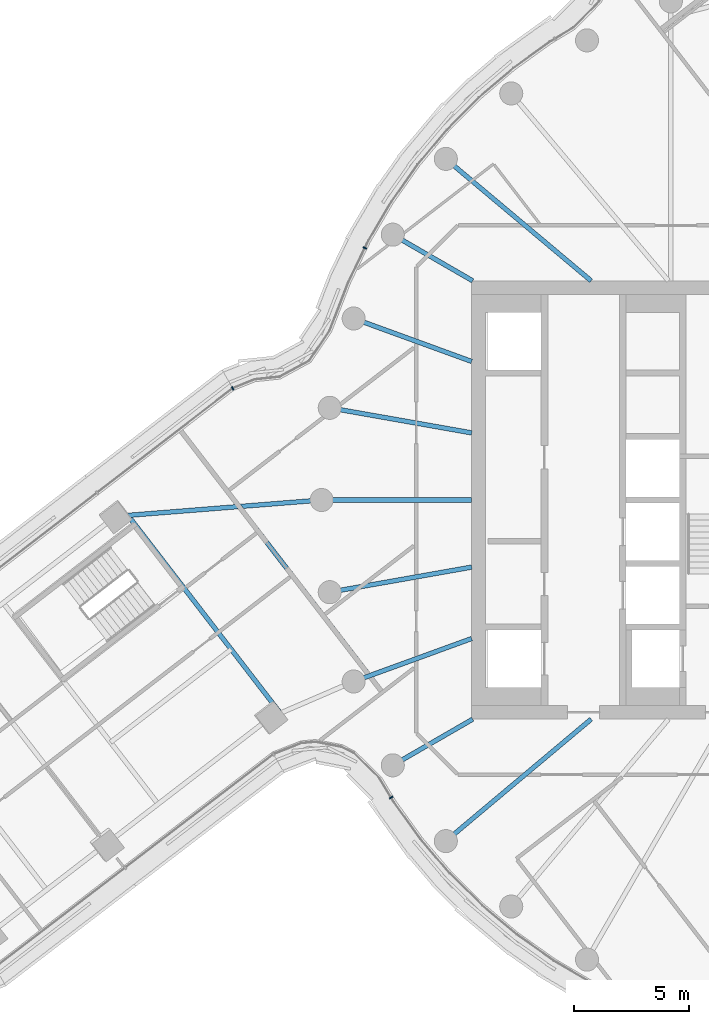
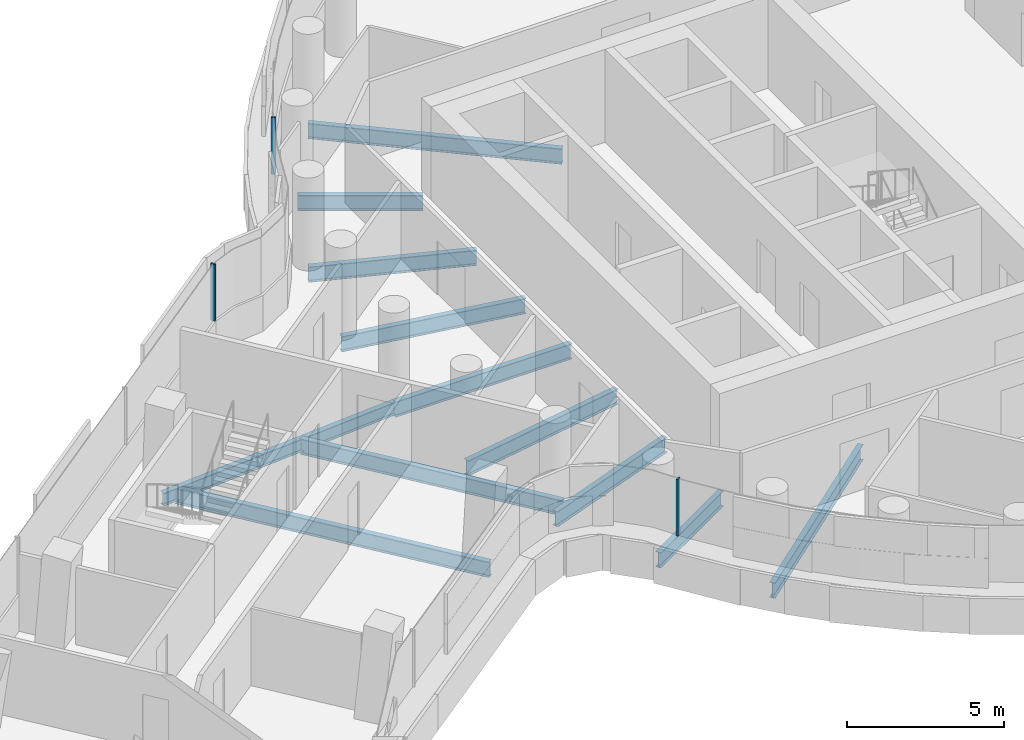
# One storey, part 9 of 33: 12 beams, 3 members, 3 elements without a shape of their own.
"""IFC4 building model written with IfcOpenShell, lengths in metres."""

from ifc_helpers import new_model, si_unit, direction, frame, origin, origin_2d, place, context, subcontext, project, spatial, rectangle, i_section, extrude, material, layer, layer_set, material_profile, profile_set, type_object, element, aggregate, save


model = new_model("IFC4")

# Units and contexts
model_context = context("Model", 3, precision=1e-05, world=origin(), true_north=direction((0.0, 1.0)))
body_context = subcontext(model_context, "Body", "Model", "MODEL_VIEW")
ifc_project = project(units=[si_unit("LENGTHUNIT", "METRE"), si_unit("AREAUNIT", "SQUARE_METRE"), si_unit("VOLUMEUNIT", "CUBIC_METRE"), si_unit("PLANEANGLEUNIT", "RADIAN"), si_unit("MASSUNIT", "GRAM", prefix="KILO")], contexts=[model_context])

# Site, building, storey
site_placement = place(None, origin())
site = spatial("IfcSite", under=ifc_project, at=site_placement, CompositionType="ELEMENT")
building_placement = place(site_placement, origin())
building = spatial("IfcBuilding", under=site, at=building_placement, Name="Tamarind Cross Interchange Tower", CompositionType="ELEMENT")
storey_placement = place(building_placement, frame((0.0, 0.0, 170.5)))
storey = spatial("IfcBuildingStorey", under=building, at=storey_placement, Name="L42", CompositionType="ELEMENT", Elevation=170.5)

# Beams
ifc_material_1 = material(Name="Steel Q355B", Category="steel")
ifc_material_profile_1 = material_profile(ifc_material_1, i_section(OverallWidth=0.198974609375, OverallDepth=0.49609375, WebThickness=0.009033203125, FlangeThickness=0.013916015625, FilletRadius=0.012939453125, at=origin_2d()), Name="HN 496x199x9x14")
ifc_profile_set_1 = profile_set([ifc_material_profile_1], Name="Steel Q355B")
beam_type_1 = type_object("IfcBeamType", Name="Composite beam HN 496x199x9x14 Q355B", PredefinedType="BEAM", material=ifc_profile_set_1)
beam_1_placement = place(storey_placement, frame((-31.931640625, -0.708740234375, -0.387939453125), z_axis=(0.996866449961, 0.079102976827, 0.0), x_axis=(-0.079102976827, 0.996866449961, 0.0)))
element("IfcBeam", 1, at=beam_1_placement, inside=storey, type_object=beam_type_1, Name="Beam W-linkem", PredefinedType="BEAM", context=body_context, shape_type="SweptSolid", body=[
    extrude(i_section(OverallWidth=0.198974609375, OverallDepth=0.49609375, WebThickness=0.009033203125, FlangeThickness=0.013916015625, FilletRadius=0.012939453125, at=origin_2d()), origin(), (0.0, 0.0, 1.0), 8.959716796875),
])
ifc_material_profile_2 = material_profile(ifc_material_1, i_section(OverallWidth=0.198974609375, OverallDepth=0.595947265625, WebThickness=0.010009765625, FlangeThickness=0.014892578125, FilletRadius=0.012939453125, at=origin_2d()), Name="HN 596x199x10x15")
ifc_profile_set_2 = profile_set([ifc_material_profile_2], Name="Steel Q355B")
beam_type_2 = type_object("IfcBeamType", Name="Composite beam HN 596x199x10x15 Q355B", PredefinedType="BEAM", material=ifc_profile_set_2)
beam_2_placement = place(storey_placement, frame((-17.619140625, 14.7841796875, -0.43798828125), z_axis=(0.766040580814, -0.642792212574, 0.0), x_axis=(0.642792212574, 0.766040580814, 0.0)))
element("IfcBeam", 2, at=beam_2_placement, inside=storey, type_object=beam_type_2, Name="Beam HH14", PredefinedType="BEAM", context=body_context, shape_type="SweptSolid", body=[
    extrude(i_section(OverallWidth=0.198974609375, OverallDepth=0.595947265625, WebThickness=0.010009765625, FlangeThickness=0.014892578125, FilletRadius=0.012939453125, at=origin_2d()), origin(), (0.0, 0.0, 1.0), 8.220703125),
])
beam_3_placement = place(storey_placement, frame((-19.918701171875, 11.5, -0.43798828125), z_axis=(0.866026010844, -0.49999894854, 0.0), x_axis=(0.49999894854, 0.866026010844, 0.0)))
element("IfcBeam", 3, at=beam_3_placement, inside=storey, type_object=beam_type_2, Name="Beam HH15", PredefinedType="BEAM", context=body_context, shape_type="SweptSolid", body=[
    extrude(i_section(OverallWidth=0.198974609375, OverallDepth=0.595947265625, WebThickness=0.010009765625, FlangeThickness=0.014892578125, FilletRadius=0.012939453125, at=origin_2d()), origin(), (0.0, 0.0, 1.0), 4.0),
])
beam_4_placement = place(storey_placement, frame((-21.613037109375, 7.866455078125, -0.43798828125), z_axis=(0.939701685589, -0.341995236956, 0.0), x_axis=(0.341995236956, 0.939701685589, 0.0)))
element("IfcBeam", 4, at=beam_4_placement, inside=storey, type_object=beam_type_2, Name="Beam HH16", PredefinedType="BEAM", context=body_context, shape_type="SweptSolid", body=[
    extrude(i_section(OverallWidth=0.198974609375, OverallDepth=0.595947265625, WebThickness=0.010009765625, FlangeThickness=0.014892578125, FilletRadius=0.012939453125, at=origin_2d()), origin(), (0.0, 0.0, 1.0), 5.441162109375),
])
beam_5_placement = place(storey_placement, frame((-22.650634765625, 3.993896484375, -0.43798828125), z_axis=(0.984809127561, -0.173640382036, 0.0), x_axis=(0.173640382036, 0.984809127561, 0.0)))
element("IfcBeam", 5, at=beam_5_placement, inside=storey, type_object=beam_type_2, Name="Beam HH17", PredefinedType="BEAM", context=body_context, shape_type="SweptSolid", body=[
    extrude(i_section(OverallWidth=0.198974609375, OverallDepth=0.595947265625, WebThickness=0.010009765625, FlangeThickness=0.014892578125, FilletRadius=0.012939453125, at=origin_2d()), origin(), (0.0, 0.0, 1.0), 6.24560546875),
])
beam_6_placement = place(storey_placement, frame((-23.0, 0.0, -0.43798828125), z_axis=(1.0, 0.0, 0.0), x_axis=(0.0, 1.0, 0.0)))
element("IfcBeam", 6, at=beam_6_placement, inside=storey, type_object=beam_type_2, Name="Beam HH18", PredefinedType="BEAM", context=body_context, shape_type="SweptSolid", body=[
    extrude(i_section(OverallWidth=0.198974609375, OverallDepth=0.595947265625, WebThickness=0.010009765625, FlangeThickness=0.014892578125, FilletRadius=0.012939453125, at=origin_2d()), origin(), (0.0, 0.0, 1.0), 6.5),
])
beam_7_placement = place(storey_placement, frame((-22.650634765625, -3.993896484375, -0.43798828125), z_axis=(0.984809127561, 0.173640382036, 0.0), x_axis=(-0.173640382036, 0.984809127561, 0.0)))
element("IfcBeam", 7, at=beam_7_placement, inside=storey, type_object=beam_type_2, Name="Beam HH19", PredefinedType="BEAM", context=body_context, shape_type="SweptSolid", body=[
    extrude(i_section(OverallWidth=0.198974609375, OverallDepth=0.595947265625, WebThickness=0.010009765625, FlangeThickness=0.014892578125, FilletRadius=0.012939453125, at=origin_2d()), origin(), (0.0, 0.0, 1.0), 6.24560546875),
])
beam_8_placement = place(storey_placement, frame((-21.613037109375, -7.866455078125, -0.43798828125), z_axis=(0.939701685589, 0.341995236956, 0.0), x_axis=(-0.341995236956, 0.939701685589, 0.0)))
element("IfcBeam", 8, at=beam_8_placement, inside=storey, type_object=beam_type_2, Name="Beam HH20", PredefinedType="BEAM", context=body_context, shape_type="SweptSolid", body=[
    extrude(i_section(OverallWidth=0.198974609375, OverallDepth=0.595947265625, WebThickness=0.010009765625, FlangeThickness=0.014892578125, FilletRadius=0.012939453125, at=origin_2d()), origin(), (0.0, 0.0, 1.0), 5.441162109375),
])
beam_9_placement = place(storey_placement, frame((-19.918701171875, -11.5, -0.43798828125), z_axis=(0.866026010844, 0.49999894854, 0.0), x_axis=(-0.49999894854, 0.866026010844, 0.0)))
element("IfcBeam", 9, at=beam_9_placement, inside=storey, type_object=beam_type_2, Name="Beam HH21", PredefinedType="BEAM", context=body_context, shape_type="SweptSolid", body=[
    extrude(i_section(OverallWidth=0.198974609375, OverallDepth=0.595947265625, WebThickness=0.010009765625, FlangeThickness=0.014892578125, FilletRadius=0.012939453125, at=origin_2d()), origin(), (0.0, 0.0, 1.0), 4.0),
])
beam_10_placement = place(storey_placement, frame((-17.619140625, -14.7841796875, -0.43798828125), z_axis=(0.766040580814, 0.642792212574, 0.0), x_axis=(-0.642792212574, 0.766040580814, 0.0)))
element("IfcBeam", 10, at=beam_10_placement, inside=storey, type_object=beam_type_2, Name="Beam HH22", PredefinedType="BEAM", context=body_context, shape_type="SweptSolid", body=[
    extrude(i_section(OverallWidth=0.198974609375, OverallDepth=0.595947265625, WebThickness=0.010009765625, FlangeThickness=0.014892578125, FilletRadius=0.012939453125, at=origin_2d()), origin(), (0.0, 0.0, 1.0), 8.220703125),
])
ifc_material_profile_3 = material_profile(ifc_material_1, i_section(OverallWidth=0.199951171875, OverallDepth=0.60009765625, WebThickness=0.010986328125, FlangeThickness=0.01708984375, FilletRadius=0.012939453125, at=origin_2d()), Name="HN 600x200x11x17")
ifc_profile_set_3 = profile_set([ifc_material_profile_3], Name="Steel Q355B")
beam_type_3 = type_object("IfcBeamType", Name="Composite beam HN 600x200x11x17 Q355B", PredefinedType="BEAM", material=ifc_profile_set_3)
beam_11_placement = place(storey_placement, frame((-31.396240234375, -0.666259765625, -0.43994140625), z_axis=(0.610316790724, -0.792157443291, 0.0), x_axis=(0.792157443291, 0.610316790724, 0.0)))
element("IfcBeam", 11, at=beam_11_placement, inside=storey, type_object=beam_type_3, Name="Beam W-x298", PredefinedType="BEAM", context=body_context, shape_type="SweptSolid", body=[
    extrude(i_section(OverallWidth=0.199951171875, OverallDepth=0.60009765625, WebThickness=0.010986328125, FlangeThickness=0.01708984375, FilletRadius=0.012939453125, at=origin_2d()), origin(), (0.0, 0.0, 1.0), 10.821533203125),
])
beam_12_placement = place(storey_placement, frame((-26.578369140625, -0.283935546875, -0.43994140625), z_axis=(0.610332028188, -0.79214570337, 0.0), x_axis=(0.79214570337, 0.610332028188, 0.0)))
element("IfcBeam", 12, at=beam_12_placement, inside=storey, type_object=beam_type_3, Name="Beam W-x258", PredefinedType="BEAM", context=body_context, shape_type="SweptSolid", body=[
    extrude(i_section(OverallWidth=0.199951171875, OverallDepth=0.60009765625, WebThickness=0.010986328125, FlangeThickness=0.01708984375, FilletRadius=0.012939453125, at=origin_2d()), origin(), (0.0, 0.0, 1.0), 9.037109375),
])

# Curtain wall, member
ifc_material_2 = material(Name="Aluminium 6063-T6", Category="aluminium")
ifc_layer = layer(ifc_material_2, 0.159912109375)
ifc_layer_set = layer_set([ifc_layer], Name="Aluminium 6063-T6")
curtain_wall_type = type_object("IfcCurtainWallType", Name="Office curtain wall, 9.0 m bays", PredefinedType="NOTDEFINED", material=ifc_layer_set)
curtain_wall_1_placement = place(storey_placement, origin())
curtain_wall_1 = element("IfcCurtainWall", 13, at=curtain_wall_1_placement, inside=storey, type_object=curtain_wall_type, Name="CWS-L42-06", PredefinedType="NOTDEFINED")
ifc_material_profile_4 = material_profile(ifc_material_2, rectangle(XDim=0.06005859375, YDim=0.159912109375, at=origin_2d()), Name="Mullion CW1")
ifc_profile_set_4 = profile_set([ifc_material_profile_4], Name="Aluminium 6063-T6")
member_type = type_object("IfcMemberType", Name="Mullion CW1", PredefinedType="MULLION", material=ifc_profile_set_4)
member_1_placement = place(storey_placement, frame((-21.126953125, 10.923828125, 1.39990234375), z_axis=(0.0, 0.0, 1.0), x_axis=(-0.435326231914, -0.900272776334, 0.0)))
member_1 = element("IfcMember", 14, at=member_1_placement, type_object=member_type, Name="CWM-L42-06-02", PredefinedType="MULLION", context=body_context, shape_type="SweptSolid", body=[
    extrude(rectangle(XDim=0.06005859375, YDim=0.159912109375, at=origin_2d()), origin(), (0.0, 0.0, 1.0), 2.210205078125),
])
aggregate(curtain_wall_1, [member_1])

curtain_wall_2_placement = place(storey_placement, origin())
curtain_wall_2 = element("IfcCurtainWall", 15, at=curtain_wall_2_placement, inside=storey, type_object=curtain_wall_type, Name="CWS-L42-07", PredefinedType="NOTDEFINED")
member_2_placement = place(storey_placement, frame((-26.85791015625, 4.841552734375, 1.39990234375), z_axis=(0.0, 0.0, 1.0), x_axis=(-0.868373613781, -0.495910543231, 0.0)))
member_2 = element("IfcMember", 16, at=member_2_placement, type_object=member_type, Name="CWM-L42-07-00", PredefinedType="MULLION", context=body_context, shape_type="SweptSolid", body=[
    extrude(rectangle(XDim=0.06005859375, YDim=0.159912109375, at=origin_2d()), origin(), (0.0, 0.0, 1.0), 2.210205078125),
])
aggregate(curtain_wall_2, [member_2])

curtain_wall_3_placement = place(storey_placement, origin())
curtain_wall_3 = element("IfcCurtainWall", 17, at=curtain_wall_3_placement, inside=storey, type_object=curtain_wall_type, Name="CWS-L42-10", PredefinedType="NOTDEFINED")
member_3_placement = place(storey_placement, frame((-19.989501953125, -12.89501953125, 1.39990234375), z_axis=(0.0, 0.0, 1.0), x_axis=(0.51810078136, -0.855319577909, 0.0)))
member_3 = element("IfcMember", 18, at=member_3_placement, type_object=member_type, Name="CWM-L42-10-01", PredefinedType="MULLION", context=body_context, shape_type="SweptSolid", body=[
    extrude(rectangle(XDim=0.06005859375, YDim=0.159912109375, at=origin_2d()), origin(), (0.0, 0.0, 1.0), 2.210205078125),
])
aggregate(curtain_wall_3, [member_3])

save(model, "model.ifc")
